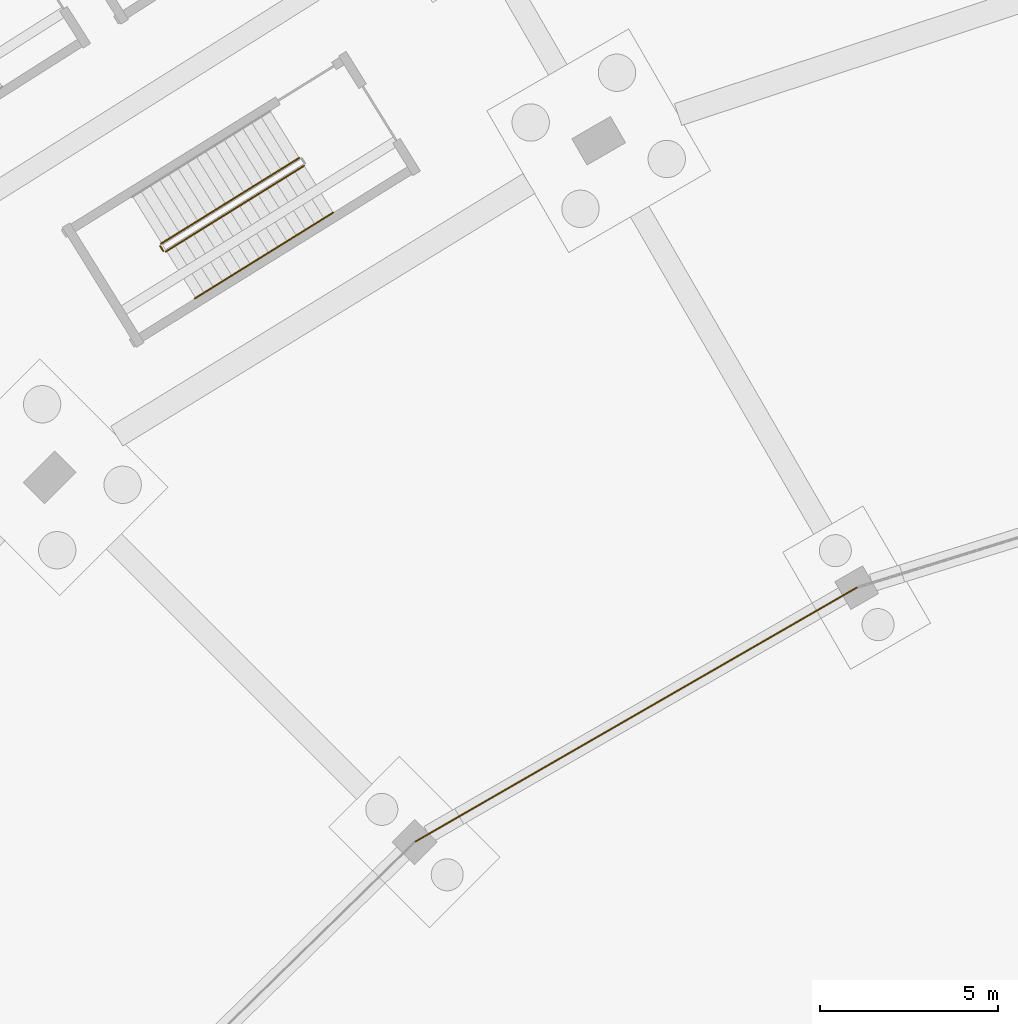
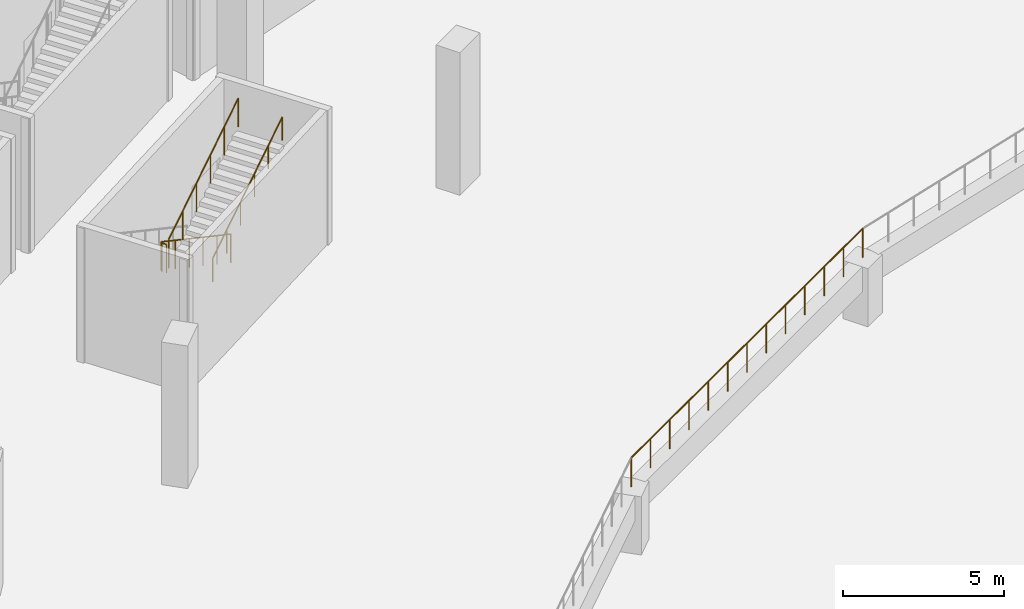
# One storey, part 88 of 103: 5 railings.
"""IFC4 building model written with IfcOpenShell, lengths in metres."""

from ifc_helpers import new_model, si_unit, direction, frame, origin, origin_2d, place, context, subcontext, project, spatial, circle, extrude, material, type_object, element, save


model = new_model("IFC4")

# Units and contexts
model_context = context("Model", 3, precision=1e-05, world=origin(), true_north=direction((0.0, 1.0)))
body_context = subcontext(model_context, "Body", "Model", "MODEL_VIEW")
ifc_project = project(units=[si_unit("LENGTHUNIT", "METRE"), si_unit("AREAUNIT", "SQUARE_METRE"), si_unit("VOLUMEUNIT", "CUBIC_METRE"), si_unit("PLANEANGLEUNIT", "RADIAN"), si_unit("MASSUNIT", "GRAM", prefix="KILO")], contexts=[model_context])

# Site, building, storey
site_placement = place(None, origin())
site = spatial("IfcSite", under=ifc_project, at=site_placement, CompositionType="ELEMENT")
building_placement = place(site_placement, origin())
building = spatial("IfcBuilding", under=site, at=building_placement, Name="Zevraka Park Crest Stadium", CompositionType="ELEMENT")
storey_placement = place(building_placement, origin())
storey = spatial("IfcBuildingStorey", under=building, at=storey_placement, Name="L00", CompositionType="ELEMENT", Elevation=0.0)

# Railings
ifc_material_1 = material(Name="Laminated glass and stainless steel sightline bowl guard", Category="steel")
railing_type_1 = type_object("IfcRailingType", Name="GR02", PredefinedType="GUARDRAIL", material=ifc_material_1)
railing_1_placement = place(storey_placement, frame((82.0, 130.970947265625, 2.199951171875)))
element("IfcRailing", 1, at=railing_1_placement, inside=storey, type_object=railing_type_1, Name="Lower Tier Pitch Sightline Guard GR02 08", PredefinedType="GUARDRAIL", context=body_context, shape_type="SweptSolid", body=[
    extrude(circle(Radius=0.02392578125, at=origin_2d()), frame((0.0, 0.0, 1.09619140625), z_axis=(-0.866727982415, -0.498781118827, 0.0), x_axis=(0.498781118827, -0.866727982415, 0.0)), (0.0, 0.0, 1.0), 14.336669921875),
    extrude(circle(Radius=0.02099609375, at=origin_2d()), origin(), (0.0, 0.0, 1.0), 1.072021484375),
    extrude(circle(Radius=0.02099609375, at=origin_2d()), frame((-1.035400390625, -0.595947265625, 0.0)), (0.0, 0.0, 1.0), 1.072021484375),
    extrude(circle(Radius=0.02099609375, at=origin_2d()), frame((-2.071044921875, -1.19189453125, 0.0)), (0.0, 0.0, 1.0), 1.072021484375),
    extrude(circle(Radius=0.02099609375, at=origin_2d()), frame((-3.1064453125, -1.78759765625, 0.0)), (0.0, 0.0, 1.0), 1.072021484375),
    extrude(circle(Radius=0.02099609375, at=origin_2d()), frame((-4.14208984375, -2.383544921875, 0.0)), (0.0, 0.0, 1.0), 1.072021484375),
    extrude(circle(Radius=0.02099609375, at=origin_2d()), frame((-5.177490234375, -2.9794921875, 0.0)), (0.0, 0.0, 1.0), 1.072021484375),
    extrude(circle(Radius=0.02099609375, at=origin_2d()), frame((-6.212890625, -3.575439453125, 0.0)), (0.0, 0.0, 1.0), 1.072021484375),
    extrude(circle(Radius=0.02099609375, at=origin_2d()), frame((-7.24853515625, -4.17138671875, 0.0)), (0.0, 0.0, 1.0), 1.072021484375),
    extrude(circle(Radius=0.02099609375, at=origin_2d()), frame((-8.283935546875, -4.767333984375, 0.0)), (0.0, 0.0, 1.0), 1.072021484375),
    extrude(circle(Radius=0.02099609375, at=origin_2d()), frame((-9.319580078125, -5.36328125, 0.0)), (0.0, 0.0, 1.0), 1.072021484375),
    extrude(circle(Radius=0.02099609375, at=origin_2d()), frame((-10.35498046875, -5.958984375, 0.0)), (0.0, 0.0, 1.0), 1.072021484375),
    extrude(circle(Radius=0.02099609375, at=origin_2d()), frame((-11.390625, -6.554931640625, 0.0)), (0.0, 0.0, 1.0), 1.072021484375),
    extrude(circle(Radius=0.02099609375, at=origin_2d()), frame((-12.426025390625, -7.15087890625, 0.0)), (0.0, 0.0, 1.0), 1.072021484375),
])
ifc_material_2 = material(Name="Powder-coated tubular steel stairwell guard", Category="steel")
railing_type_2 = type_object("IfcRailingType", Name="GR03", PredefinedType="GUARDRAIL", material=ifc_material_2)
railing_2_placement = place(storey_placement, frame((66.333984375, 143.047607421875, 0.168701171875)))
element("IfcRailing", 2, at=railing_2_placement, inside=storey, type_object=railing_type_2, Name="L00 ST37 stair guard 1", PredefinedType="GUARDRAIL", context=body_context, shape_type="SweptSolid", body=[
    extrude(circle(Radius=0.02392578125, at=origin_2d()), frame((0.0, 0.0, 1.076171875), z_axis=(-0.743488080984, -0.461370704528, 0.484110056122), x_axis=(0.527276516885, -0.849693753503, 0.0)), (0.0, 0.0, 1.0), 5.228759765625),
    extrude(circle(Radius=0.02099609375, at=origin_2d()), origin(), (0.0, 0.0, 1.0), 1.052001953125),
    extrude(circle(Radius=0.02099609375, at=origin_2d()), frame((-0.777587890625, -0.482421875, 0.50634765625)), (0.0, 0.0, 1.0), 1.052001953125),
    extrude(circle(Radius=0.02099609375, at=origin_2d()), frame((-1.554931640625, -0.96484375, 1.012451171875)), (0.0, 0.0, 1.0), 1.052001953125),
    extrude(circle(Radius=0.02099609375, at=origin_2d()), frame((-2.33251953125, -1.447509765625, 1.518798828125)), (0.0, 0.0, 1.0), 1.052001953125),
    extrude(circle(Radius=0.02099609375, at=origin_2d()), frame((-3.10986328125, -1.929931640625, 2.02490234375)), (0.0, 0.0, 1.0), 1.052001953125),
    extrude(circle(Radius=0.02099609375, at=origin_2d()), frame((-3.887451171875, -2.412353515625, 2.53125)), (0.0, 0.0, 1.0), 1.052001953125),
])
railing_3_placement = place(storey_placement, frame((62.430419921875, 140.56640625, 2.699951171875)))
element("IfcRailing", 3, at=railing_3_placement, inside=storey, type_object=railing_type_2, Name="L00 ST37 stair guard 2", PredefinedType="GUARDRAIL", context=body_context, shape_type="SweptSolid", body=[
    extrude(circle(Radius=0.02392578125, at=origin_2d()), frame((0.0, 0.0, 1.076171875), z_axis=(0.528350811616, -0.849026159706, 0.0), x_axis=(0.849026159706, 0.528350811616, 0.0)), (0.0, 0.0, 1.0), 0.159912109375),
    extrude(circle(Radius=0.02099609375, at=origin_2d()), origin(), (0.0, 0.0, 1.0), 1.052001953125),
    extrude(circle(Radius=0.02099609375, at=origin_2d()), frame((0.08447265625, -0.1357421875, 0.0)), (0.0, 0.0, 1.0), 1.052001953125),
])
railing_4_placement = place(storey_placement, frame((62.583740234375, 140.41455078125, 2.86865234375)))
element("IfcRailing", 4, at=railing_4_placement, inside=storey, type_object=railing_type_2, Name="L00 ST37 stair guard 3", PredefinedType="GUARDRAIL", context=body_context, shape_type="SweptSolid", body=[
    extrude(circle(Radius=0.02392578125, at=origin_2d()), frame((0.0, 0.0, 1.076171875), z_axis=(0.743483214798, 0.461349966223, 0.48413729249), x_axis=(-0.527261896715, 0.849702825859, 0.0)), (0.0, 0.0, 1.0), 5.228271484375),
    extrude(circle(Radius=0.02099609375, at=origin_2d()), origin(), (0.0, 0.0, 1.0), 1.052001953125),
    extrude(circle(Radius=0.02099609375, at=origin_2d()), frame((0.77734375, 0.482421875, 0.50634765625)), (0.0, 0.0, 1.0), 1.052001953125),
    extrude(circle(Radius=0.02099609375, at=origin_2d()), frame((1.554931640625, 0.96484375, 1.012451171875)), (0.0, 0.0, 1.0), 1.052001953125),
    extrude(circle(Radius=0.02099609375, at=origin_2d()), frame((2.332275390625, 1.447265625, 1.518798828125)), (0.0, 0.0, 1.0), 1.052001953125),
    extrude(circle(Radius=0.02099609375, at=origin_2d()), frame((3.10986328125, 1.9296875, 2.02490234375)), (0.0, 0.0, 1.0), 1.052001953125),
    extrude(circle(Radius=0.02099609375, at=origin_2d()), frame((3.88720703125, 2.412109375, 2.53125)), (0.0, 0.0, 1.0), 1.052001953125),
])
ifc_material_3 = material(Name="Brushed stainless steel continuous handrail", Category="steel")
railing_type_3 = type_object("IfcRailingType", Name="HR01", PredefinedType="HANDRAIL", material=ifc_material_3)
railing_5_placement = place(storey_placement, frame((63.40087890625, 139.097412109375, 2.86865234375)))
element("IfcRailing", 5, at=railing_5_placement, inside=storey, type_object=railing_type_3, Name="L00 ST37 stair handrail 2", PredefinedType="HANDRAIL", context=body_context, shape_type="SweptSolid", body=[
    extrude(circle(Radius=0.02392578125, at=origin_2d()), frame((0.0, 0.0, 0.8759765625), z_axis=(0.743488080984, 0.461370704528, 0.484110056122), x_axis=(-0.527276516885, 0.849693753503, 0.0)), (0.0, 0.0, 1.0), 5.228759765625),
    extrude(circle(Radius=0.02099609375, at=origin_2d()), origin(), (0.0, 0.0, 1.0), 0.851806640625),
    extrude(circle(Radius=0.02099609375, at=origin_2d()), frame((0.777587890625, 0.482421875, 0.50634765625)), (0.0, 0.0, 1.0), 0.851806640625),
    extrude(circle(Radius=0.02099609375, at=origin_2d()), frame((1.554931640625, 0.96484375, 1.012451171875)), (0.0, 0.0, 1.0), 0.851806640625),
    extrude(circle(Radius=0.02099609375, at=origin_2d()), frame((2.33251953125, 1.447509765625, 1.518798828125)), (0.0, 0.0, 1.0), 0.851806640625),
    extrude(circle(Radius=0.02099609375, at=origin_2d()), frame((3.10986328125, 1.929931640625, 2.02490234375)), (0.0, 0.0, 1.0), 0.851806640625),
    extrude(circle(Radius=0.02099609375, at=origin_2d()), frame((3.887451171875, 2.412353515625, 2.53125)), (0.0, 0.0, 1.0), 0.851806640625),
])

save(model, "model.ifc")
